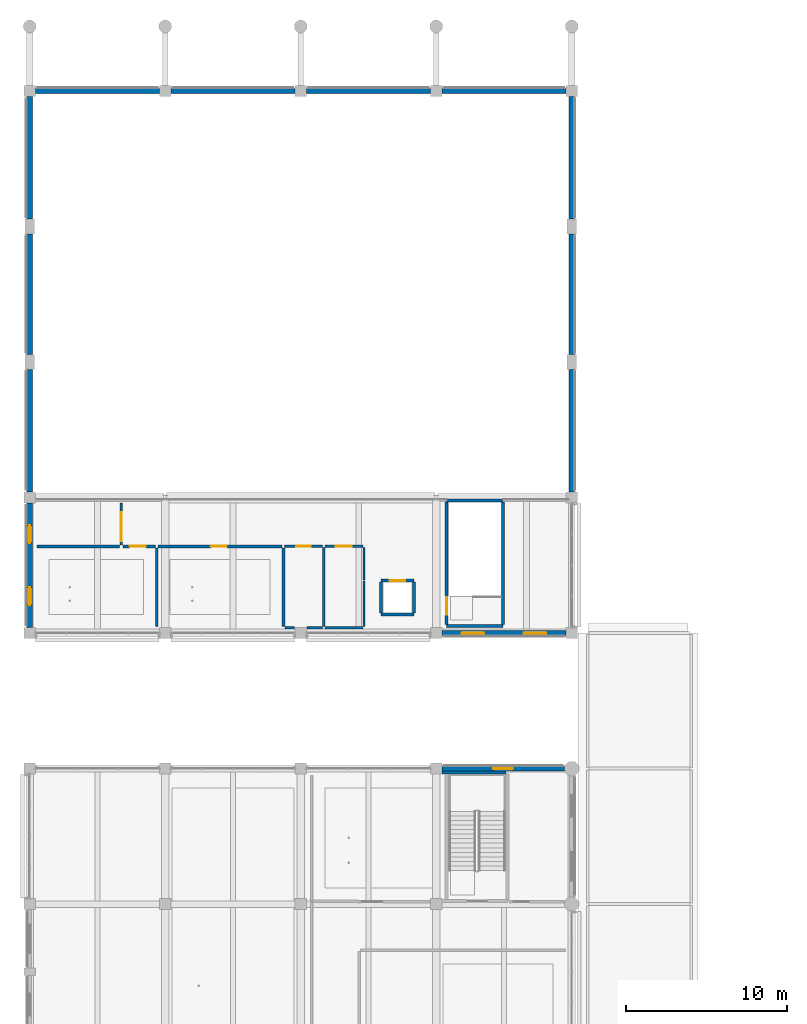
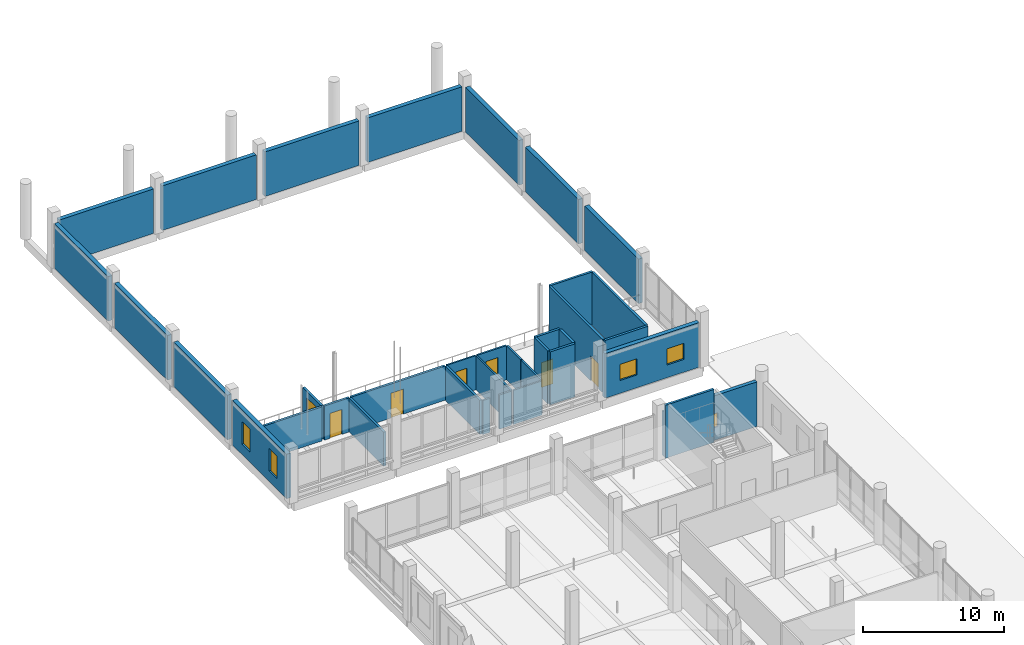
# One storey, part 57 of 128: 36 walls, 7 doors, 5 windows, 12 openings.
"""IFC4 building model written with IfcOpenShell, lengths in metres."""

from ifc_helpers import new_model, si_unit, direction, frame, frame_2d, origin, place, context, subcontext, project, spatial, rectangle, extrude, material, layer, layer_set, type_object, element, fill, save


model = new_model("IFC4")

# Units and contexts
model_context = context("Model", 3, precision=1e-05, world=origin(), true_north=direction((0.0, 1.0)))
body_context = subcontext(model_context, "Body", "Model", "MODEL_VIEW")
ifc_project = project(units=[si_unit("LENGTHUNIT", "METRE"), si_unit("AREAUNIT", "SQUARE_METRE"), si_unit("VOLUMEUNIT", "CUBIC_METRE"), si_unit("PLANEANGLEUNIT", "RADIAN"), si_unit("MASSUNIT", "GRAM", prefix="KILO")], contexts=[model_context])

# Site, building, storey
site_placement = place(None, origin())
site = spatial("IfcSite", under=ifc_project, at=site_placement, CompositionType="ELEMENT")
building_placement = place(site_placement, origin())
building = spatial("IfcBuilding", under=site, at=building_placement, Name="Telukmera Botanical Conservatory", CompositionType="ELEMENT")
storey_placement = place(building_placement, frame((0.0, 0.0, 5.39990234375)))
storey = spatial("IfcBuildingStorey", under=building, at=storey_placement, Name="L01", CompositionType="ELEMENT", Elevation=5.39990234375)

# Wall, openings, windows
ifc_material_1 = material(Name="Granite-faced precast concrete C40/50", Category="masonry")
ifc_layer_1 = layer(ifc_material_1, 0.340087890625)
ifc_layer_set_1 = layer_set([ifc_layer_1], Name="Granite-faced precast concrete C40/50")
wall_type_1 = type_object("IfcWallType", Name="Exterior Fluted Acoustic Precast Auditorium Wall 340", PredefinedType="SOLIDWALL", material=ifc_layer_set_1)
wall_1_placement = place(storey_placement, frame((33.951904296875, 83.199951171875, 0.0), z_axis=(0.0, 0.0, 1.0), x_axis=(1.0, 0.0, 0.0)))
wall_1 = element("IfcWall", 1, at=wall_1_placement, inside=storey, type_object=wall_type_1, Name="Exterior Precast Wall EW03 V2:L01:S4", PredefinedType="SOLIDWALL", context=body_context, shape_type="SweptSolid", body=[
    extrude(rectangle(XDim=7.696044921875, YDim=0.340087890625, at=frame_2d((3.84814453125, 0.0))), origin(), (0.0, 0.0, 1.0), 3.85009765625),
])
opening_1_placement = place(wall_1_placement, frame((1.22412109375, 0.0, 1.10009765625)))
opening_1 = element("IfcOpeningElement", 2, at=opening_1_placement, cuts=wall_1, Name="Opening W04", PredefinedType="OPENING", context=body_context, shape_type="SweptSolid", body=[
    extrude(rectangle(XDim=1.39990234375, YDim=1.39990234375, at=frame_2d((0.699951171875, 0.699951171875))), frame((0.0, 0.179931640625, 0.0), z_axis=(0.0, -1.0, 0.0), x_axis=(1.0, 0.0, 0.0)), (0.0, 0.0, 1.0), 0.360107421875),
])
opening_2_placement = place(wall_1_placement, frame((5.072021484375, 0.0, 1.10009765625)))
opening_2 = element("IfcOpeningElement", 3, at=opening_2_placement, cuts=wall_1, Name="Opening W04", PredefinedType="OPENING", context=body_context, shape_type="SweptSolid", body=[
    extrude(rectangle(XDim=1.39990234375, YDim=1.39990234375, at=frame_2d((0.699951171875, 0.699951171875))), frame((0.0, 0.179931640625, 0.0), z_axis=(0.0, -1.0, 0.0), x_axis=(1.0, 0.0, 0.0)), (0.0, 0.0, 1.0), 0.360107421875),
])
ifc_material_2 = material(Name="Thermally broken anodised aluminium frame with low-E double glazing", Category="aluminium")
window_type_1 = type_object("IfcWindowType", Name="Postmodern Drum Ocular Feature Window 1400x1400", PartitioningType="SINGLE_PANEL", PredefinedType="LIGHTDOME", material=ifc_material_2)
window_1_placement = place(opening_1_placement, origin())
window_1 = element("IfcWindow", 4, at=window_1_placement, inside=storey, type_object=window_type_1, Name="Facade Window W04 V2:L01:S4 1", OverallHeight=1.39990234375, OverallWidth=1.39990234375, PartitioningType="SINGLE_PANEL", PredefinedType="LIGHTDOME", context=body_context, shape_type="SweptSolid", body=[
    extrude(rectangle(XDim=1.39990234375, YDim=1.39990234375, at=frame_2d((0.699951171875, 0.699951171875))), frame((0.0, 0.030029296875, 0.0), z_axis=(0.0, -1.0, 0.0), x_axis=(1.0, 0.0, 0.0)), (0.0, 0.0, 1.0), 0.06005859375),
])
fill(opening_1, window_1)
window_2_placement = place(opening_2_placement, origin())
window_2 = element("IfcWindow", 5, at=window_2_placement, inside=storey, type_object=window_type_1, Name="Facade Window W04 V2:L01:S4 2", OverallHeight=1.39990234375, OverallWidth=1.39990234375, PartitioningType="SINGLE_PANEL", PredefinedType="LIGHTDOME", context=body_context, shape_type="SweptSolid", body=[
    extrude(rectangle(XDim=1.39990234375, YDim=1.39990234375, at=frame_2d((0.699951171875, 0.699951171875))), frame((0.0, 0.030029296875, 0.0), z_axis=(0.0, -1.0, 0.0), x_axis=(1.0, 0.0, 0.0)), (0.0, 0.0, 1.0), 0.06005859375),
])
fill(opening_2, window_2)

# Walls
wall_2_placement = place(storey_placement, frame((8.751953125, 116.800048828125, 0.0), z_axis=(0.0, 0.0, 1.0), x_axis=(1.0, 0.0, 0.0)))
element("IfcWall", 6, at=wall_2_placement, inside=storey, type_object=wall_type_1, Name="Exterior Precast Wall EW03 V2:L01:N1", PredefinedType="SOLIDWALL", context=body_context, shape_type="SweptSolid", body=[
    extrude(rectangle(XDim=7.696044921875, YDim=0.340087890625, at=frame_2d((3.84814453125, 0.0))), origin(), (0.0, 0.0, 1.0), 3.85009765625),
])
wall_3_placement = place(storey_placement, frame((17.152099609375, 116.800048828125, 0.0), z_axis=(0.0, 0.0, 1.0), x_axis=(1.0, 0.0, 0.0)))
element("IfcWall", 7, at=wall_3_placement, inside=storey, type_object=wall_type_1, Name="Exterior Precast Wall EW03 V2:L01:N2", PredefinedType="SOLIDWALL", context=body_context, shape_type="SweptSolid", body=[
    extrude(rectangle(XDim=7.69580078125, YDim=0.340087890625, at=frame_2d((3.847900390625, 0.0))), origin(), (0.0, 0.0, 1.0), 3.85009765625),
])
for number, where, z_axis, x_axis, name in (
    (8, (25.552001953125, 116.800048828125, 0.0), (0.0, 0.0, 1.0), (1.0, 0.0, 0.0), "Exterior Precast Wall EW03 V2:L01:N3"),
    (9, (33.951904296875, 116.800048828125, 0.0), (0.0, 0.0, 1.0), (1.0, 0.0, 0.0), "Exterior Precast Wall EW03 V2:L01:N4"),
):
    element("IfcWall", number, at=place(storey_placement, frame(where, z_axis=z_axis, x_axis=x_axis)), inside=storey, type_object=wall_type_1, Name=name, PredefinedType="SOLIDWALL", context=body_context, shape_type="SweptSolid", body=[
        extrude(rectangle(XDim=7.696044921875, YDim=0.340087890625, at=frame_2d((3.84814453125, 0.0))), origin(), (0.0, 0.0, 1.0), 3.85009765625),
    ])

# Wall, openings, windows
wall_4_placement = place(storey_placement, frame((8.39990234375, 83.552001953125, 0.0), z_axis=(0.0, 0.0, 1.0), x_axis=(0.0, 1.0, 0.0)))
wall_4 = element("IfcWall", 10, at=wall_4_placement, inside=storey, type_object=wall_type_1, Name="Exterior Precast Wall EW03 V2:L01:W1", PredefinedType="SOLIDWALL", context=body_context, shape_type="SweptSolid", body=[
    extrude(rectangle(XDim=7.696044921875, YDim=0.340087890625, at=frame_2d((3.84814453125, 0.0))), origin(), (0.0, 0.0, 1.0), 3.85009765625),
])
opening_3_placement = place(wall_4_placement, frame((1.3740234375, 0.0, 0.89990234375)))
opening_3 = element("IfcOpeningElement", 11, at=opening_3_placement, cuts=wall_4, Name="Opening W02", PredefinedType="OPENING", context=body_context, shape_type="SweptSolid", body=[
    extrude(rectangle(XDim=1.10009765625, YDim=1.949951171875, at=frame_2d((0.550048828125, 0.97509765625))), frame((0.0, 0.179931640625, 0.0), z_axis=(0.0, -1.0, 0.0), x_axis=(1.0, 0.0, 0.0)), (0.0, 0.0, 1.0), 0.360107421875),
])
opening_4_placement = place(wall_4_placement, frame((5.221923828125, 0.0, 0.89990234375)))
opening_4 = element("IfcOpeningElement", 12, at=opening_4_placement, cuts=wall_4, Name="Opening W02", PredefinedType="OPENING", context=body_context, shape_type="SweptSolid", body=[
    extrude(rectangle(XDim=1.10009765625, YDim=1.949951171875, at=frame_2d((0.550048828125, 0.97509765625))), frame((0.0, 0.179931640625, 0.0), z_axis=(0.0, -1.0, 0.0), x_axis=(1.0, 0.0, 0.0)), (0.0, 0.0, 1.0), 0.360107421875),
])
window_type_2 = type_object("IfcWindowType", Name="Single Fixed Exhibition Pier Window 1100x1950", PartitioningType="SINGLE_PANEL", PredefinedType="WINDOW", material=ifc_material_2)
window_3_placement = place(opening_3_placement, origin())
window_3 = element("IfcWindow", 13, at=window_3_placement, inside=storey, type_object=window_type_2, Name="Facade Window W02 V2:L01:W1 1", OverallHeight=1.949951171875, OverallWidth=1.10009765625, PartitioningType="SINGLE_PANEL", PredefinedType="WINDOW", context=body_context, shape_type="SweptSolid", body=[
    extrude(rectangle(XDim=1.10009765625, YDim=1.949951171875, at=frame_2d((0.550048828125, 0.97509765625))), frame((0.0, 0.030029296875, 0.0), z_axis=(0.0, -1.0, 0.0), x_axis=(1.0, 0.0, 0.0)), (0.0, 0.0, 1.0), 0.06005859375),
])
fill(opening_3, window_3)
window_4_placement = place(opening_4_placement, origin())
window_4 = element("IfcWindow", 14, at=window_4_placement, inside=storey, type_object=window_type_2, Name="Facade Window W02 V2:L01:W1 2", OverallHeight=1.949951171875, OverallWidth=1.10009765625, PartitioningType="SINGLE_PANEL", PredefinedType="WINDOW", context=body_context, shape_type="SweptSolid", body=[
    extrude(rectangle(XDim=1.10009765625, YDim=1.949951171875, at=frame_2d((0.550048828125, 0.97509765625))), frame((0.0, 0.030029296875, 0.0), z_axis=(0.0, -1.0, 0.0), x_axis=(1.0, 0.0, 0.0)), (0.0, 0.0, 1.0), 0.06005859375),
])
fill(opening_4, window_4)

# Walls
wall_5_placement = place(storey_placement, frame((8.39990234375, 91.951904296875, 0.0), z_axis=(0.0, 0.0, 1.0), x_axis=(0.0, 1.0, 0.0)))
element("IfcWall", 15, at=wall_5_placement, inside=storey, type_object=wall_type_1, Name="Exterior Precast Wall EW03 V2:L01:W2", PredefinedType="SOLIDWALL", context=body_context, shape_type="SweptSolid", body=[
    extrude(rectangle(XDim=7.59619140625, YDim=0.340087890625, at=frame_2d((3.798095703125, 0.0))), origin(), (0.0, 0.0, 1.0), 3.85009765625),
])
wall_6_placement = place(storey_placement, frame((8.39990234375, 100.451904296875, 0.0), z_axis=(0.0, 0.0, 1.0), x_axis=(0.0, 1.0, 0.0)))
element("IfcWall", 16, at=wall_6_placement, inside=storey, type_object=wall_type_1, Name="Exterior Precast Wall EW03 V2:L01:W3", PredefinedType="SOLIDWALL", context=body_context, shape_type="SweptSolid", body=[
    extrude(rectangle(XDim=7.49609375, YDim=0.340087890625, at=frame_2d((3.748046875, 0.0))), origin(), (0.0, 0.0, 1.0), 3.85009765625),
])
wall_7_placement = place(storey_placement, frame((8.39990234375, 108.85205078125, 0.0), z_axis=(0.0, 0.0, 1.0), x_axis=(0.0, 1.0, 0.0)))
element("IfcWall", 17, at=wall_7_placement, inside=storey, type_object=wall_type_1, Name="Exterior Precast Wall EW03 V2:L01:W4", PredefinedType="SOLIDWALL", context=body_context, shape_type="SweptSolid", body=[
    extrude(rectangle(XDim=7.595947265625, YDim=0.340087890625, at=frame_2d((3.7978515625, 0.0))), origin(), (0.0, 0.0, 1.0), 3.85009765625),
])
wall_8_placement = place(storey_placement, frame((42.0, 91.951904296875, 0.0), z_axis=(0.0, 0.0, 1.0), x_axis=(0.0, 1.0, 0.0)))
element("IfcWall", 18, at=wall_8_placement, inside=storey, type_object=wall_type_1, Name="Exterior Precast Wall EW03 V2:L01:E2", PredefinedType="SOLIDWALL", context=body_context, shape_type="SweptSolid", body=[
    extrude(rectangle(XDim=7.59619140625, YDim=0.340087890625, at=frame_2d((3.798095703125, 0.0))), origin(), (0.0, 0.0, 1.0), 3.85009765625),
])
wall_9_placement = place(storey_placement, frame((42.0, 100.451904296875, 0.0), z_axis=(0.0, 0.0, 1.0), x_axis=(0.0, 1.0, 0.0)))
element("IfcWall", 19, at=wall_9_placement, inside=storey, type_object=wall_type_1, Name="Exterior Precast Wall EW03 V2:L01:E3", PredefinedType="SOLIDWALL", context=body_context, shape_type="SweptSolid", body=[
    extrude(rectangle(XDim=7.49609375, YDim=0.340087890625, at=frame_2d((3.748046875, 0.0))), origin(), (0.0, 0.0, 1.0), 3.85009765625),
])
wall_10_placement = place(storey_placement, frame((42.0, 108.85205078125, 0.0), z_axis=(0.0, 0.0, 1.0), x_axis=(0.0, 1.0, 0.0)))
element("IfcWall", 20, at=wall_10_placement, inside=storey, type_object=wall_type_1, Name="Exterior Precast Wall EW03 V2:L01:E4", PredefinedType="SOLIDWALL", context=body_context, shape_type="SweptSolid", body=[
    extrude(rectangle(XDim=7.595947265625, YDim=0.340087890625, at=frame_2d((3.7978515625, 0.0))), origin(), (0.0, 0.0, 1.0), 3.85009765625),
])

# Wall, opening, window
ifc_material_3 = material(Name="Terracotta-faced precast concrete C40/50", Category="masonry")
ifc_layer_2 = layer(ifc_material_3, 0.300048828125)
ifc_layer_set_2 = layer_set([ifc_layer_2], Name="Terracotta-faced precast concrete C40/50")
wall_type_2 = type_object("IfcWallType", Name="Exterior Polychrome Terracotta Precast Wall 300", PredefinedType="SOLIDWALL", material=ifc_layer_set_2)
wall_11_placement = place(storey_placement, frame((33.951904296875, 74.800048828125, 0.0), z_axis=(0.0, 0.0, 1.0), x_axis=(1.0, 0.0, 0.0)))
wall_11 = element("IfcWall", 21, at=wall_11_placement, inside=storey, type_object=wall_type_2, Name="Exterior Precast Wall EW02 V3:L01:N4", PredefinedType="SOLIDWALL", context=body_context, shape_type="SweptSolid", body=[
    extrude(rectangle(XDim=7.59619140625, YDim=0.300048828125, at=frame_2d((3.798095703125, 0.0))), origin(), (0.0, 0.0, 1.0), 3.85009765625),
])
opening_5_placement = place(wall_11_placement, frame((3.197998046875, 0.0, 1.10009765625)))
opening_5 = element("IfcOpeningElement", 22, at=opening_5_placement, cuts=wall_11, Name="Opening W03", PredefinedType="OPENING", context=body_context, shape_type="SweptSolid", body=[
    extrude(rectangle(XDim=1.199951171875, YDim=1.199951171875, at=frame_2d((0.60009765625, 0.60009765625))), frame((0.0, 0.159912109375, 0.0), z_axis=(0.0, -1.0, 0.0), x_axis=(1.0, 0.0, 0.0)), (0.0, 0.0, 1.0), 0.320068359375),
])
window_type_3 = type_object("IfcWindowType", Name="Postmodern Square Ocular Feature Window 1200x1200", PartitioningType="SINGLE_PANEL", PredefinedType="WINDOW", material=ifc_material_2)
window_5_placement = place(opening_5_placement, origin())
window_5 = element("IfcWindow", 23, at=window_5_placement, inside=storey, type_object=window_type_3, Name="Facade Window W03 V3:L01:N4", OverallHeight=1.199951171875, OverallWidth=1.199951171875, PartitioningType="SINGLE_PANEL", PredefinedType="WINDOW", context=body_context, shape_type="SweptSolid", body=[
    extrude(rectangle(XDim=1.199951171875, YDim=1.199951171875, at=frame_2d((0.60009765625, 0.60009765625))), frame((0.0, 0.030029296875, 0.0), z_axis=(0.0, -1.0, 0.0), x_axis=(1.0, 0.0, 0.0)), (0.0, 0.0, 1.0), 0.06005859375),
])
fill(opening_5, window_5)

# Wall, opening, door
ifc_material_4 = material(Name="Blockwork acoustic masonry", Category="masonry")
ifc_layer_3 = layer(ifc_material_4, 0.179931640625)
ifc_layer_set_3 = layer_set([ifc_layer_3], Name="Blockwork acoustic masonry")
wall_type_3 = type_object("IfcWallType", Name="WT-AUD-180", PredefinedType="PARTITIONING", material=ifc_layer_set_3)
wall_12_placement = place(storey_placement, frame((14.074951171875, 88.64990234375, 0.0), z_axis=(0.0, 0.0, 1.0), x_axis=(0.0, 1.0, 0.0)))
wall_12 = element("IfcWall", 24, at=wall_12_placement, inside=storey, type_object=wall_type_3, Name="L01 Interior Partition 30", PredefinedType="PARTITIONING", context=body_context, shape_type="SweptSolid", body=[
    extrude(rectangle(XDim=2.60009765625, YDim=0.179931640625, at=frame_2d((1.300048828125, 0.0))), origin(), (0.0, 0.0, 1.0), 2.9501953125),
])
opening_6_placement = place(wall_12_placement, frame((0.25, 0.0, 0.0)))
opening_6 = element("IfcOpeningElement", 25, at=opening_6_placement, cuts=wall_12, Name="Opening ID01", PredefinedType="OPENING", context=body_context, shape_type="SweptSolid", body=[
    extrude(rectangle(XDim=1.800048828125, YDim=2.39990234375, at=frame_2d((0.89990234375, 1.199951171875))), frame((0.0, 0.099853515625, 0.0), z_axis=(0.0, -1.0, 0.0), x_axis=(1.0, 0.0, 0.0)), (0.0, 0.0, 1.0), 0.199951171875),
])
ifc_material_5 = material(Name="Acoustic hardwood double door", Category="wood")
door_type_1 = type_object("IfcDoorType", Name="DT-AUD-180", OperationType="NOTDEFINED", PredefinedType="DOOR", material=ifc_material_5)
door_1_placement = place(opening_6_placement, frame((1.800048828125, 0.0, 0.0), z_axis=(0.0, 0.0, 1.0), x_axis=(-1.0, 0.0, 0.0)))
door_1 = element("IfcDoor", 26, at=door_1_placement, inside=storey, type_object=door_type_1, Name="L01 Auditorium Balcony Door", OperationType="SINGLE_SWING_RIGHT", OverallHeight=2.39990234375, OverallWidth=1.800048828125, PredefinedType="DOOR", context=body_context, shape_type="SweptSolid", body=[
    extrude(rectangle(XDim=1.800048828125, YDim=2.39990234375, at=frame_2d((0.89990234375, 1.199951171875))), frame((0.0, 0.02490234375, 0.0), z_axis=(0.0, -1.0, 0.0), x_axis=(1.0, 0.0, 0.0)), (0.0, 0.0, 1.0), 0.050048828125),
])
fill(opening_6, door_1)

wall_13_placement = place(storey_placement, frame((14.175048828125, 88.574951171875, 0.0), z_axis=(0.0, 0.0, 1.0), x_axis=(1.0, 0.0, 0.0)))
wall_13 = element("IfcWall", 27, at=wall_13_placement, inside=storey, type_object=wall_type_3, Name="L01 Interior Partition 31", PredefinedType="PARTITIONING", context=body_context, shape_type="SweptSolid", body=[
    extrude(rectangle(XDim=2.02490234375, YDim=0.179931640625, at=frame_2d((1.012451171875, 0.0))), origin(), (0.0, 0.0, 1.0), 2.9501953125),
])
opening_7_placement = place(wall_13_placement, frame((0.425048828125, 0.0, 0.0)))
opening_7 = element("IfcOpeningElement", 28, at=opening_7_placement, cuts=wall_13, Name="Opening ID14", PredefinedType="OPENING", context=body_context, shape_type="SweptSolid", body=[
    extrude(rectangle(XDim=1.0, YDim=2.14990234375, at=frame_2d((0.5, 1.074951171875))), frame((0.0, 0.099853515625, 0.0), z_axis=(0.0, -1.0, 0.0), x_axis=(1.0, 0.0, 0.0)), (0.0, 0.0, 1.0), 0.199951171875),
])
ifc_material_6 = material(Name="Acoustic timber office door", Category="wood")
door_type_2 = type_object("IfcDoorType", Name="DT-WRT-100", OperationType="NOTDEFINED", PredefinedType="DOOR", material=ifc_material_6)
door_2_placement = place(opening_7_placement, frame((1.0, 0.0, 0.0), z_axis=(0.0, 0.0, 1.0), x_axis=(-1.0, 0.0, 0.0)))
door_2 = element("IfcDoor", 29, at=door_2_placement, inside=storey, type_object=door_type_2, Name="L01 Auditorium Projection Room Door", OperationType="SINGLE_SWING_LEFT", OverallHeight=2.14990234375, OverallWidth=1.0, PredefinedType="DOOR", context=body_context, shape_type="SweptSolid", body=[
    extrude(rectangle(XDim=1.0, YDim=2.14990234375, at=frame_2d((0.5, 1.074951171875))), frame((0.0, 0.02490234375, 0.0), z_axis=(0.0, -1.0, 0.0), x_axis=(1.0, 0.0, 0.0)), (0.0, 0.0, 1.0), 0.050048828125),
])
fill(opening_7, door_2)

wall_14_placement = place(storey_placement, frame((16.35009765625, 88.574951171875, 0.0), z_axis=(0.0, 0.0, 1.0), x_axis=(1.0, 0.0, 0.0)))
wall_14 = element("IfcWall", 30, at=wall_14_placement, inside=storey, type_object=wall_type_3, Name="L01 Interior Partition 32", PredefinedType="PARTITIONING", context=body_context, shape_type="SweptSolid", body=[
    extrude(rectangle(XDim=7.699951171875, YDim=0.179931640625, at=frame_2d((3.85009765625, 0.0))), origin(), (0.0, 0.0, 1.0), 2.9501953125),
])
opening_8_placement = place(wall_14_placement, frame((3.2744140625, 0.0, 0.0)))
opening_8 = element("IfcOpeningElement", 31, at=opening_8_placement, cuts=wall_14, Name="Opening ID14", PredefinedType="OPENING", context=body_context, shape_type="SweptSolid", body=[
    extrude(rectangle(XDim=1.0, YDim=2.14990234375, at=frame_2d((0.5, 1.074951171875))), frame((0.0, 0.099853515625, 0.0), z_axis=(0.0, -1.0, 0.0), x_axis=(1.0, 0.0, 0.0)), (0.0, 0.0, 1.0), 0.199951171875),
])
door_3_placement = place(opening_8_placement, frame((1.0, 0.0, 0.0), z_axis=(0.0, 0.0, 1.0), x_axis=(-1.0, 0.0, 0.0)))
door_3 = element("IfcDoor", 32, at=door_3_placement, inside=storey, type_object=door_type_2, Name="L01 Sound Control Booth Door", OperationType="SINGLE_SWING_RIGHT", OverallHeight=2.14990234375, OverallWidth=1.0, PredefinedType="DOOR", context=body_context, shape_type="SweptSolid", body=[
    extrude(rectangle(XDim=1.0, YDim=2.14990234375, at=frame_2d((0.5, 1.074951171875))), frame((0.0, 0.02490234375, 0.0), z_axis=(0.0, -1.0, 0.0), x_axis=(1.0, 0.0, 0.0)), (0.0, 0.0, 1.0), 0.050048828125),
])
fill(opening_8, door_3)

# Walls
wall_15_placement = place(storey_placement, frame((24.125, 83.60009765625, 0.0), z_axis=(0.0, 0.0, 1.0), x_axis=(0.0, 1.0, 0.0)))
element("IfcWall", 33, at=wall_15_placement, inside=storey, type_object=wall_type_3, Name="L01 Interior Partition 34", PredefinedType="PARTITIONING", context=body_context, shape_type="SweptSolid", body=[
    extrude(rectangle(XDim=4.875, YDim=0.179931640625, at=frame_2d((2.4375, 0.0))), origin(), (0.0, 0.0, 1.0), 2.9501953125),
])
wall_16_placement = place(storey_placement, frame((8.85009765625, 88.574951171875, 0.0), z_axis=(0.0, 0.0, 1.0), x_axis=(1.0, 0.0, 0.0)))
element("IfcWall", 34, at=wall_16_placement, inside=storey, type_object=wall_type_3, Name="L01 Interior Partition 35", PredefinedType="PARTITIONING", context=body_context, shape_type="SweptSolid", body=[
    extrude(rectangle(XDim=5.125, YDim=0.179931640625, at=frame_2d((2.5625, 0.0))), origin(), (0.0, 0.0, 1.0), 2.9501953125),
])
wall_17_placement = place(storey_placement, frame((16.27490234375, 83.60009765625, 0.0), z_axis=(0.0, 0.0, 1.0), x_axis=(0.0, 1.0, 0.0)))
element("IfcWall", 35, at=wall_17_placement, inside=storey, type_object=wall_type_3, Name="L01 Interior Partition 36", PredefinedType="PARTITIONING", context=body_context, shape_type="SweptSolid", body=[
    extrude(rectangle(XDim=4.875, YDim=0.179931640625, at=frame_2d((2.4375, 0.0))), origin(), (0.0, 0.0, 1.0), 2.9501953125),
])

# Wall, opening, door
ifc_material_7 = material(Name="Concrete C40/50", Category="concrete")
ifc_layer_4 = layer(ifc_material_7, 0.199951171875)
ifc_layer_set_4 = layer_set([ifc_layer_4], Name="Concrete C40/50")
wall_type_4 = type_object("IfcWallType", Name="WT-CORE-200", PredefinedType="SOLIDWALL", material=ifc_layer_set_4)
wall_18_placement = place(storey_placement, frame((30.179931640625, 86.449951171875, 0.0), z_axis=(0.0, 0.0, 1.0), x_axis=(1.0, 0.0, 0.0)))
wall_18 = element("IfcWall", 36, at=wall_18_placement, inside=storey, type_object=wall_type_4, Name="L01 Lift VL2 Front Wall", PredefinedType="SOLIDWALL", context=body_context, shape_type="SweptSolid", body=[
    extrude(rectangle(XDim=2.0400390625, YDim=0.199951171875, at=frame_2d((1.02001953125, 0.0))), origin(), (0.0, 0.0, 1.0), 4.580078125),
])
opening_9_placement = place(wall_18_placement, frame((0.544921875, 0.0, 0.0)))
opening_9 = element("IfcOpeningElement", 37, at=opening_9_placement, cuts=wall_18, Name="Opening LD04", PredefinedType="OPENING", context=body_context, shape_type="SweptSolid", body=[
    extrude(rectangle(XDim=0.949951171875, YDim=2.14990234375, at=frame_2d((0.47509765625, 1.074951171875))), frame((0.0, 0.10986328125, 0.0), z_axis=(0.0, -1.0, 0.0), x_axis=(1.0, 0.0, 0.0)), (0.0, 0.0, 1.0), 0.219970703125),
])
ifc_material_8 = material(Name="Anodised aluminium and glass", Category="aluminium")
door_type_3 = type_object("IfcDoorType", Name="DT-LD04", OperationType="SLIDING_TO_LEFT", PredefinedType="DOOR", material=ifc_material_8)
door_4_placement = place(opening_9_placement, origin())
door_4 = element("IfcDoor", 38, at=door_4_placement, inside=storey, type_object=door_type_3, Name="L01 Lift Landing Door VL2", OperationType="SLIDING_TO_LEFT", OverallHeight=2.14990234375, OverallWidth=0.949951171875, PredefinedType="DOOR", context=body_context, shape_type="SweptSolid", body=[
    extrude(rectangle(XDim=0.949951171875, YDim=2.14990234375, at=frame_2d((0.47509765625, 1.074951171875))), frame((0.0, 0.02490234375, 0.0), z_axis=(0.0, -1.0, 0.0), x_axis=(1.0, 0.0, 0.0)), (0.0, 0.0, 1.0), 0.050048828125),
])
fill(opening_9, door_4)

# Walls
wall_19_placement = place(storey_placement, frame((30.179931640625, 84.35009765625, 0.0), z_axis=(0.0, 0.0, 1.0), x_axis=(1.0, 0.0, 0.0)))
element("IfcWall", 39, at=wall_19_placement, inside=storey, type_object=wall_type_4, Name="L01 Lift VL2 Rear Wall", PredefinedType="SOLIDWALL", context=body_context, shape_type="SweptSolid", body=[
    extrude(rectangle(XDim=2.0400390625, YDim=0.199951171875, at=frame_2d((1.02001953125, 0.0))), origin(), (0.0, 0.0, 1.0), 4.580078125),
])
for number, where, z_axis, x_axis, name in (
    (40, (30.179931640625, 84.449951171875, 0.0), (0.0, 0.0, 1.0), (0.0, 1.0, 0.0), "L01 Lift VL2 W Wall"),
    (41, (32.219970703125, 84.449951171875, 0.0), (0.0, 0.0, 1.0), (0.0, 1.0, 0.0), "L01 Lift VL2 E Wall"),
):
    element("IfcWall", number, at=place(storey_placement, frame(where, z_axis=z_axis, x_axis=x_axis)), inside=storey, type_object=wall_type_4, Name=name, PredefinedType="SOLIDWALL", context=body_context, shape_type="SweptSolid", body=[
        extrude(rectangle(XDim=1.900146484375, YDim=0.199951171875, at=frame_2d((0.9501953125, 0.0))), origin(), (0.0, 0.0, 1.0), 4.580078125),
    ])
ifc_layer_5 = layer(ifc_material_7, 0.18994140625)
ifc_layer_set_5 = layer_set([ifc_layer_5], Name="Concrete C40/50")
wall_type_5 = type_object("IfcWallType", Name="WT-STAIR-190", PredefinedType="SOLIDWALL", material=ifc_layer_set_5)
wall_20_placement = place(storey_placement, frame((33.949951171875, 74.56005859375, 0.0), z_axis=(0.0, 0.0, 1.0), x_axis=(1.0, 0.0, 0.0)))
element("IfcWall", 42, at=wall_20_placement, inside=storey, type_object=wall_type_5, Name="L01 Stair ST4 North Wall", PredefinedType="SOLIDWALL", context=body_context, shape_type="SweptSolid", body=[
    extrude(rectangle(XDim=3.97998046875, YDim=0.18994140625, at=frame_2d((1.989990234375, 0.0))), origin(), (0.0, 0.0, 1.0), 4.580078125),
])
for number, where, z_axis, x_axis, name in (
    (43, (34.25, 83.639892578125, 0.0), (0.0, 0.0, 1.0), (1.0, 0.0, 0.0), "L01 Stair ST6 South Wall"),
    (44, (34.25, 91.419921875, 0.0), (0.0, 0.0, 1.0), (1.0, 0.0, 0.0), "L01 Stair ST6 North Wall"),
):
    element("IfcWall", number, at=place(storey_placement, frame(where, z_axis=z_axis, x_axis=x_axis)), inside=storey, type_object=wall_type_5, Name=name, PredefinedType="SOLIDWALL", context=body_context, shape_type="SweptSolid", body=[
        extrude(rectangle(XDim=3.5, YDim=0.18994140625, at=frame_2d((1.75, 0.0))), origin(), (0.0, 0.0, 1.0), 4.580078125),
    ])

# Wall, opening, door
wall_21_placement = place(storey_placement, frame((34.25, 83.739990234375, 0.0), z_axis=(0.0, 0.0, 1.0), x_axis=(0.0, 1.0, 0.0)))
wall_21 = element("IfcWall", 45, at=wall_21_placement, inside=storey, type_object=wall_type_5, Name="L01 Stair ST6 West Wall", PredefinedType="SOLIDWALL", context=body_context, shape_type="SweptSolid", body=[
    extrude(rectangle(XDim=7.580078125, YDim=0.18994140625, at=frame_2d((3.7900390625, 0.0))), origin(), (0.0, 0.0, 1.0), 4.580078125),
])
opening_10_placement = place(wall_21_placement, frame((0.60009765625, 0.0, 0.0)))
opening_10 = element("IfcOpeningElement", 46, at=opening_10_placement, cuts=wall_21, Name="Opening FD60E", PredefinedType="OPENING", context=body_context, shape_type="SweptSolid", body=[
    extrude(rectangle(XDim=1.080078125, YDim=2.14990234375, at=frame_2d((0.5400390625, 1.074951171875))), frame((0.0, 0.10498046875, 0.0), z_axis=(0.0, -1.0, 0.0), x_axis=(1.0, 0.0, 0.0)), (0.0, 0.0, 1.0), 0.2099609375),
])
ifc_material_9 = material(Name="Hardwood fire door", Category="wood")
door_type_4 = type_object("IfcDoorType", Name="DT-FD60-05", OperationType="NOTDEFINED", PredefinedType="DOOR", material=ifc_material_9)
door_5_placement = place(opening_10_placement, frame((1.080078125, 0.0, 0.0), z_axis=(0.0, 0.0, 1.0), x_axis=(-1.0, 0.0, 0.0)))
door_5 = element("IfcDoor", 47, at=door_5_placement, inside=storey, type_object=door_type_4, Name="L01 Stair ST6 Door", OperationType="SINGLE_SWING_RIGHT", OverallHeight=2.14990234375, OverallWidth=1.080078125, PredefinedType="DOOR", context=body_context, shape_type="SweptSolid", body=[
    extrude(rectangle(XDim=1.080078125, YDim=2.14990234375, at=frame_2d((0.5400390625, 1.074951171875))), frame((0.0, 0.02490234375, 0.0), z_axis=(0.0, -1.0, 0.0), x_axis=(1.0, 0.0, 0.0)), (0.0, 0.0, 1.0), 0.050048828125),
])
fill(opening_10, door_5)

# Walls
wall_22_placement = place(storey_placement, frame((37.75, 83.739990234375, 0.0), z_axis=(0.0, 0.0, 1.0), x_axis=(0.0, 1.0, 0.0)))
element("IfcWall", 48, at=wall_22_placement, inside=storey, type_object=wall_type_5, Name="L01 Stair ST6 East Wall", PredefinedType="SOLIDWALL", context=body_context, shape_type="SweptSolid", body=[
    extrude(rectangle(XDim=7.580078125, YDim=0.18994140625, at=frame_2d((3.7900390625, 0.0))), origin(), (0.0, 0.0, 1.0), 4.580078125),
])
ifc_material_10 = material(Name="Moisture-resistant blockwork", Category="masonry")
ifc_layer_6 = layer(ifc_material_10, 0.135009765625)
ifc_layer_set_6 = layer_set([ifc_layer_6], Name="Moisture-resistant blockwork")
wall_type_6 = type_object("IfcWallType", Name="WT-WC-135", PredefinedType="PARTITIONING", material=ifc_layer_set_6)
wall_23_placement = place(storey_placement, frame((29.125, 86.5, 0.0), z_axis=(0.0, 0.0, 1.0), x_axis=(0.0, 1.0, 0.0)))
element("IfcWall", 49, at=wall_23_placement, inside=storey, type_object=wall_type_6, Name="L01 Interior Partition 27", PredefinedType="PARTITIONING", context=body_context, shape_type="SweptSolid", body=[
    extrude(rectangle(XDim=2.0, YDim=0.135009765625, at=frame_2d((1.0, 0.0))), origin(), (0.0, 0.0, 1.0), 2.9501953125),
])

# Wall, opening, door
wall_24_placement = place(storey_placement, frame((26.699951171875, 88.574951171875, 0.0), z_axis=(0.0, 0.0, 1.0), x_axis=(1.0, 0.0, 0.0)))
wall_24 = element("IfcWall", 50, at=wall_24_placement, inside=storey, type_object=wall_type_6, Name="L01 Interior Partition 28", PredefinedType="PARTITIONING", context=body_context, shape_type="SweptSolid", body=[
    extrude(rectangle(XDim=2.35009765625, YDim=0.135009765625, at=frame_2d((1.175048828125, 0.0))), origin(), (0.0, 0.0, 1.0), 2.9501953125),
])
opening_11_placement = place(wall_24_placement, frame((0.68505859375, 0.0, 0.0)))
opening_11 = element("IfcOpeningElement", 51, at=opening_11_placement, cuts=wall_24, Name="Opening ID15", PredefinedType="OPENING", context=body_context, shape_type="SweptSolid", body=[
    extrude(rectangle(XDim=0.97998046875, YDim=2.14990234375, at=frame_2d((0.489990234375, 1.074951171875))), frame((0.0, 0.077392578125, 0.0), z_axis=(0.0, -1.0, 0.0), x_axis=(1.0, 0.0, 0.0)), (0.0, 0.0, 1.0), 0.155029296875),
])
ifc_material_11 = material(Name="Accessible sanitary laminate door")
door_type_5 = type_object("IfcDoorType", Name="DT-OKU-098", OperationType="NOTDEFINED", PredefinedType="DOOR", material=ifc_material_11)
door_6_placement = place(opening_11_placement, origin())
door_6 = element("IfcDoor", 52, at=door_6_placement, inside=storey, type_object=door_type_5, Name="L01 Accessible WC Door", OperationType="SINGLE_SWING_RIGHT", OverallHeight=2.14990234375, OverallWidth=0.97998046875, PredefinedType="DOOR", context=body_context, shape_type="SweptSolid", body=[
    extrude(rectangle(XDim=0.97998046875, YDim=2.14990234375, at=frame_2d((0.489990234375, 1.074951171875))), frame((0.0, 0.02490234375, 0.0), z_axis=(0.0, -1.0, 0.0), x_axis=(1.0, 0.0, 0.0)), (0.0, 0.0, 1.0), 0.050048828125),
])
fill(opening_11, door_6)

wall_25_placement = place(storey_placement, frame((24.199951171875, 88.574951171875, 0.0), z_axis=(0.0, 0.0, 1.0), x_axis=(1.0, 0.0, 0.0)))
wall_25 = element("IfcWall", 53, at=wall_25_placement, inside=storey, type_object=wall_type_6, Name="L01 Interior Partition 29", PredefinedType="PARTITIONING", context=body_context, shape_type="SweptSolid", body=[
    extrude(rectangle(XDim=2.35009765625, YDim=0.135009765625, at=frame_2d((1.175048828125, 0.0))), origin(), (0.0, 0.0, 1.0), 2.9501953125),
])
opening_12_placement = place(wall_25_placement, frame((0.715087890625, 0.0, 0.0)))
opening_12 = element("IfcOpeningElement", 54, at=opening_12_placement, cuts=wall_25, Name="Opening ID17", PredefinedType="OPENING", context=body_context, shape_type="SweptSolid", body=[
    extrude(rectangle(XDim=0.919921875, YDim=2.1201171875, at=frame_2d((0.4599609375, 1.06005859375))), frame((0.0, 0.077392578125, 0.0), z_axis=(0.0, -1.0, 0.0), x_axis=(1.0, 0.0, 0.0)), (0.0, 0.0, 1.0), 0.155029296875),
])
ifc_material_12 = material(Name="Moisture-resistant laminate WC door")
door_type_6 = type_object("IfcDoorType", Name="DT-WC-092", OperationType="NOTDEFINED", PredefinedType="DOOR", material=ifc_material_12)
door_7_placement = place(opening_12_placement, origin())
door_7 = element("IfcDoor", 55, at=door_7_placement, inside=storey, type_object=door_type_6, Name="L01 Public WC Door", OperationType="SINGLE_SWING_LEFT", OverallHeight=2.1201171875, OverallWidth=0.919921875, PredefinedType="DOOR", context=body_context, shape_type="SweptSolid", body=[
    extrude(rectangle(XDim=0.919921875, YDim=2.1201171875, at=frame_2d((0.4599609375, 1.06005859375))), frame((0.0, 0.02490234375, 0.0), z_axis=(0.0, -1.0, 0.0), x_axis=(1.0, 0.0, 0.0)), (0.0, 0.0, 1.0), 0.050048828125),
])
fill(opening_12, door_7)

# Walls
wall_26_placement = place(storey_placement, frame((26.625, 83.60009765625, 0.0), z_axis=(0.0, 0.0, 1.0), x_axis=(0.0, 1.0, 0.0)))
element("IfcWall", 56, at=wall_26_placement, inside=storey, type_object=wall_type_6, Name="L01 Interior Partition 33", PredefinedType="PARTITIONING", context=body_context, shape_type="SweptSolid", body=[
    extrude(rectangle(XDim=4.89990234375, YDim=0.135009765625, at=frame_2d((2.449951171875, 0.0))), origin(), (0.0, 0.0, 1.0), 2.9501953125),
])
wall_27_placement = place(storey_placement, frame((26.702392578125, 83.532470703125, 0.0), z_axis=(0.0, 0.0, 1.0), x_axis=(1.0, 0.0, 0.0)))
element("IfcWall", 57, at=wall_27_placement, inside=storey, type_object=wall_type_6, Name="L01 WC Enclosure Partition 07", PredefinedType="PARTITIONING", context=body_context, shape_type="SweptSolid", body=[
    extrude(rectangle(XDim=2.34765625, YDim=0.135009765625, at=frame_2d((1.173828125, 0.0))), origin(), (0.0, 0.0, 1.0), 2.9501953125),
])
wall_28_placement = place(storey_placement, frame((29.117431640625, 83.610107421875, 0.0), z_axis=(0.0, 0.0, 1.0), x_axis=(0.0, 1.0, 0.0)))
element("IfcWall", 58, at=wall_28_placement, inside=storey, type_object=wall_type_6, Name="L01 WC Enclosure Partition 08", PredefinedType="PARTITIONING", context=body_context, shape_type="SweptSolid", body=[
    extrude(rectangle(XDim=2.809814453125, YDim=0.135009765625, at=frame_2d((1.40478515625, 0.0))), origin(), (0.0, 0.0, 1.0), 2.9501953125),
])
wall_29_placement = place(storey_placement, frame((24.22509765625, 83.532470703125, 0.0), z_axis=(0.0, 0.0, 1.0), x_axis=(1.0, 0.0, 0.0)))
element("IfcWall", 59, at=wall_29_placement, inside=storey, type_object=wall_type_6, Name="L01 WC Enclosure Partition 09", PredefinedType="PARTITIONING", context=body_context, shape_type="SweptSolid", body=[
    extrude(rectangle(XDim=0.594970703125, YDim=0.135009765625, at=frame_2d((0.29736328125, 0.0))), origin(), (0.0, 0.0, 1.0), 2.9501953125),
])
wall_30_placement = place(storey_placement, frame((25.580078125, 83.532470703125, 0.0), z_axis=(0.0, 0.0, 1.0), x_axis=(1.0, 0.0, 0.0)))
element("IfcWall", 60, at=wall_30_placement, inside=storey, type_object=wall_type_6, Name="L01 WC Enclosure Partition 10", PredefinedType="PARTITIONING", context=body_context, shape_type="SweptSolid", body=[
    extrude(rectangle(XDim=0.967529296875, YDim=0.135009765625, at=frame_2d((0.48388671875, 0.0))), origin(), (0.0, 0.0, 1.0), 2.9501953125),
])

save(model, "model.ifc")
